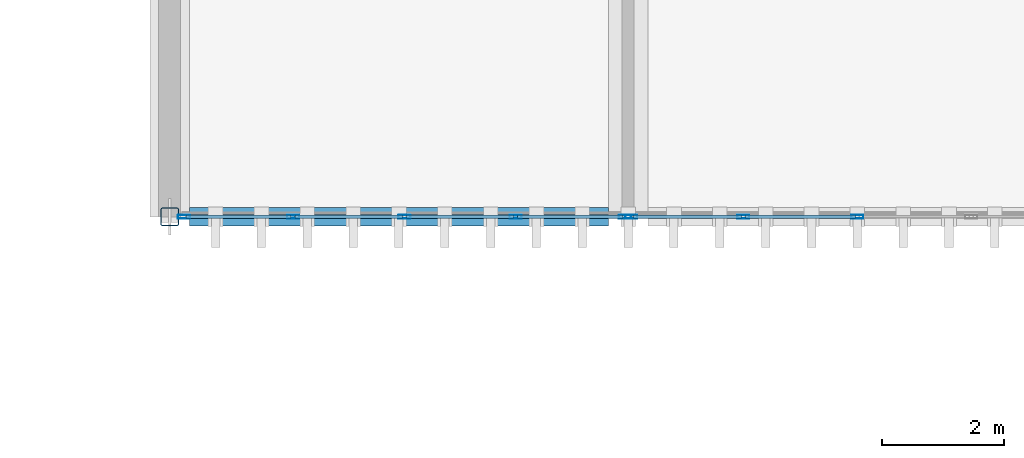
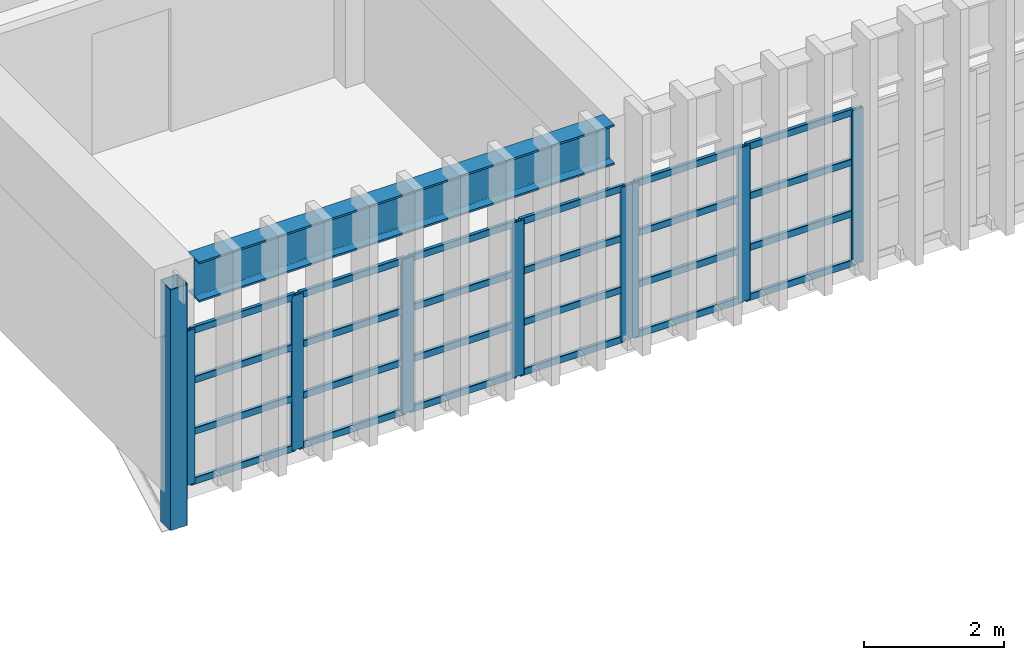
# One storey, part 9 of 124: 33 members, 1 beam, 2 elements without a shape of their own.
"""IFC4 building model written with IfcOpenShell, lengths in metres."""

import ifcopenshell
import ifcopenshell.guid

model = None  # the IFC model being written
_history = None  # IfcOwnerHistory: only IFC2X3 demands one
_inside = {}  # id of a spatial element -> (the spatial element, [elements in it])
_under = {}  # id of a project, library or spatial element -> (it, [spatial elements below it])
_declared = {}  # id of a project -> (the project, [libraries it declares])
_typed = {}  # id of a type object -> (the type object, [elements of that type])
_made_of = {}  # id of a material, layer set ... -> (it, [elements and type objects made of it])


def new_model(schema):
    """Start an empty IFC model of exactly this schema.

    Asked for "IFC4X3", IfcOpenShell would pick the latest addendum, in which some entities
    have other attributes; the version numbers below select the first issue.
    IFC2X3 requires an IfcOwnerHistory on every rooted entity: one is made here for all.
    """
    global model, _history
    if schema == "IFC4X3":
        model = ifcopenshell.file(schema_version=(4, 3, 0, 0))
    else:
        model = ifcopenshell.file(schema=schema)
    _inside.clear()
    _under.clear()
    _declared.clear()
    _typed.clear()
    _made_of.clear()
    _history = None
    if model.schema == "IFC2X3":
        org = make("IfcOrganization", Name="unknown")
        user = make(
            "IfcPersonAndOrganization",
            ThePerson=make("IfcPerson", FamilyName="unknown"),
            TheOrganization=org,
        )
        app = make(
            "IfcApplication",
            ApplicationDeveloper=org,
            Version="unknown",
            ApplicationFullName="unknown",
            ApplicationIdentifier="unknown",
        )
        _history = make(
            "IfcOwnerHistory",
            OwningUser=user,
            OwningApplication=app,
            ChangeAction="ADDED",
            CreationDate=0,
        )
    return model


def make(cls, **values):
    """One entity of the class cls with the attributes given. An attribute that is None is left unset."""
    return model.create_entity(
        cls, **{name: value for name, value in values.items() if value is not None}
    )


def rooted(cls, **values):
    """An entity with a GlobalId (a new one), such as an element, a storey or a relation."""
    return make(cls, GlobalId=ifcopenshell.guid.new(), OwnerHistory=_history, **values)


def si_unit(unit_type, name, prefix=None):
    """IfcSIUnit, for example si_unit("LENGTHUNIT", "METRE", prefix="MILLI")."""
    return make("IfcSIUnit", UnitType=unit_type, Prefix=prefix, Name=name)


def assignment(units):
    """IfcUnitAssignment: the units of a project."""
    return None if units is None else make("IfcUnitAssignment", Units=units)


def point(xyz):
    """IfcCartesianPoint."""
    return None if xyz is None else make("IfcCartesianPoint", Coordinates=xyz)


def direction(xyz):
    """IfcDirection."""
    return None if xyz is None else make("IfcDirection", DirectionRatios=xyz)


def frame(location, z_axis=None, x_axis=None):
    """IfcAxis2Placement3D, a coordinate frame: its origin and axes. An axis left out is left unset."""
    return make(
        "IfcAxis2Placement3D",
        Location=point(location),
        Axis=direction(z_axis),
        RefDirection=direction(x_axis),
    )


def frame_2d(location, x_axis=None):
    """IfcAxis2Placement2D, a coordinate frame in the plane: its origin and x axis."""
    return make(
        "IfcAxis2Placement2D", Location=point(location), RefDirection=direction(x_axis)
    )


def origin():
    """The frame at (0, 0, 0) with its axes left unset."""
    return frame((0.0, 0.0, 0.0))


def origin_2d():
    """The frame at (0, 0) in the plane with its x axis left unset."""
    return frame_2d((0.0, 0.0))


def place(relative_to, where):
    """IfcLocalPlacement: puts the frame where relative to a parent placement (None: the world)."""
    return make(
        "IfcLocalPlacement", PlacementRelTo=relative_to, RelativePlacement=where
    )


def context(
    kind, dimensions, precision=None, world=None, true_north=None, identifier=None
):
    """IfcGeometricRepresentationContext, for example the 3D "Model" context."""
    return make(
        "IfcGeometricRepresentationContext",
        ContextIdentifier=identifier,
        ContextType=kind,
        CoordinateSpaceDimension=dimensions,
        Precision=precision,
        WorldCoordinateSystem=world,
        TrueNorth=true_north,
    )


def subcontext(parent, identifier, kind, view, scale=None):
    """IfcGeometricRepresentationSubContext, for example "Body" below "Model"."""
    return make(
        "IfcGeometricRepresentationSubContext",
        ContextIdentifier=identifier,
        ContextType=kind,
        ParentContext=parent,
        TargetScale=scale,
        TargetView=view,
    )


def project(units=None, contexts=None):
    """IfcProject with its units and contexts."""
    return rooted(
        "IfcProject",
        Name="project",
        RepresentationContexts=contexts,
        UnitsInContext=assignment(units),
    )


def spatial(cls, under=None, at=None, **own):
    """A site, building, storey or space (cls), placed at a placement, below another one or the project."""
    s = rooted(cls, ObjectPlacement=at, **own)
    if under is not None:
        _under.setdefault(under.id(), (under, []))[1].append(s)
    return s


def profile(cls, at=None, kind="AREA", **sizes):
    """A parametric profile (cls). Its sizes go by their IFC names, for example OverallWidth=200.0."""
    return make(cls, ProfileType=kind, Position=at, **sizes)


def hollow_rectangle(**sizes):
    """IfcRectangleHollowProfileDef."""
    return profile("IfcRectangleHollowProfileDef", **sizes)


def i_section(**sizes):
    """IfcIShapeProfileDef."""
    return profile("IfcIShapeProfileDef", **sizes)


def extrude(swept, where, along, depth):
    """IfcExtrudedAreaSolid: the profile swept, set in the frame where, extruded along a direction by depth."""
    return make(
        "IfcExtrudedAreaSolid",
        SweptArea=swept,
        Position=where,
        ExtrudedDirection=direction(along),
        Depth=depth,
    )


def shape(context_of_items, identifier, shape_type, items):
    """IfcShapeRepresentation: the items that make up one representation, for example the "Body"."""
    return make(
        "IfcShapeRepresentation",
        ContextOfItems=context_of_items,
        RepresentationIdentifier=identifier,
        RepresentationType=shape_type,
        Items=items,
    )


def material(Name=None, Category=None):
    """IfcMaterial."""
    return make("IfcMaterial", Name=Name, Category=Category)


def material_profile(
    of_material, cross_section, Name=None, Category=None, Priority=None
):
    """IfcMaterialProfile: a cross section and its material."""
    return make(
        "IfcMaterialProfile",
        Name=Name,
        Material=of_material,
        Profile=cross_section,
        Priority=Priority,
        Category=Category,
    )


def profile_set(profiles, Name=None, composite=None):
    """IfcMaterialProfileSet."""
    return make(
        "IfcMaterialProfileSet",
        Name=Name,
        MaterialProfiles=profiles,
        CompositeProfile=composite,
    )


def made_of(thing, what):
    """Note that an element or type object is made of a material, layer set ...; save() writes the relation."""
    if what is not None:
        _made_of.setdefault(what.id(), (what, []))[1].append(thing)
    return thing


def type_object(cls, material=None, **own):
    """A type object (cls), such as IfcWallType, which elements share."""
    return made_of(rooted(cls, **own), material)


def element(
    cls,
    number,
    at=None,
    inside=None,
    cuts=None,
    type_object=None,
    material=None,
    context=None,
    identifier="Body",
    shape_type=None,
    held_by="IfcProductDefinitionShape",
    body=None,
    shapes=None,
    **own,
):
    """One element of the class cls, such as IfcWall. Its Tag is "e" and its number.

    at: its placement. inside: the storey or other place that contains it. cuts: it is an
    opening in that element (IfcRelVoidsElement). A single representation is given by context,
    identifier, shape_type and body (its items); several are given by shapes. held_by: the class
    of the entity that holds the representations. save() writes the other relations.
    """
    e = rooted(cls, Tag="e%d" % number, ObjectPlacement=at, **own)
    if body is not None:
        shapes = [shape(context, identifier, shape_type, body)]
    if shapes is not None:
        e.Representation = make(held_by, Representations=shapes)
    if inside is not None:
        _inside.setdefault(inside.id(), (inside, []))[1].append(e)
    if cuts is not None:
        rooted(
            "IfcRelVoidsElement", RelatingBuildingElement=cuts, RelatedOpeningElement=e
        )
    if type_object is not None:
        _typed.setdefault(type_object.id(), (type_object, []))[1].append(e)
    return made_of(e, material)


def aggregate(whole, parts):
    """IfcRelAggregates: a whole, such as a stair, and the parts it consists of."""
    return rooted("IfcRelAggregates", RelatingObject=whole, RelatedObjects=parts)


def save(model, path):
    """Write the relations noted so far, then the file.

    IfcRelAggregates (storeys below a building ...), IfcRelContainedInSpatialStructure (elements
    in a storey), IfcRelDefinesByType, IfcRelAssociatesMaterial and IfcRelDeclares: one each for
    every whole, place, type object, material and project.
    """
    for whole, parts in _under.values():
        aggregate(whole, parts)
    for where, things in _inside.values():
        rooted(
            "IfcRelContainedInSpatialStructure",
            RelatedElements=things,
            RelatingStructure=where,
        )
    for kind, things in _typed.values():
        rooted("IfcRelDefinesByType", RelatedObjects=things, RelatingType=kind)
    for what, things in _made_of.values():
        rooted("IfcRelAssociatesMaterial", RelatedObjects=things, RelatingMaterial=what)
    for by, libraries in _declared.values():
        rooted("IfcRelDeclares", RelatingContext=by, RelatedDefinitions=libraries)
    model.write(path)


model = new_model("IFC4")

# Units and contexts
model_context = context("Model", 3, precision=1e-05, world=origin(), true_north=direction((0.0, 1.0)))
body_context = subcontext(model_context, "Body", "Model", "MODEL_VIEW")
ifc_project = project(units=[si_unit("LENGTHUNIT", "METRE"), si_unit("AREAUNIT", "SQUARE_METRE"), si_unit("VOLUMEUNIT", "CUBIC_METRE"), si_unit("PLANEANGLEUNIT", "RADIAN"), si_unit("MASSUNIT", "GRAM", prefix="KILO")], contexts=[model_context])

# Site, building, storey
site_placement = place(None, origin())
site = spatial("IfcSite", under=ifc_project, at=site_placement, CompositionType="ELEMENT")
building_placement = place(site_placement, origin())
building = spatial("IfcBuilding", under=site, at=building_placement, Name="Qasida Concert Hall", CompositionType="ELEMENT")
storey_placement = place(building_placement, frame((0.0, 0.0, 9.0)))
storey = spatial("IfcBuildingStorey", under=building, at=storey_placement, Name="L02", CompositionType="ELEMENT", Elevation=9.0)

# Beam
ifc_material_1 = material(Name="Steel S355J2", Category="steel")
ifc_material_profile_1 = material_profile(ifc_material_1, i_section(OverallWidth=0.300048828125, OverallDepth=0.699951171875, WebThickness=0.01708984375, FlangeThickness=0.031982421875, FilletRadius=0.027099609375, at=origin_2d()), Name="HEB 700")
ifc_profile_set_1 = profile_set([ifc_material_profile_1], Name="Steel S355J2")
beam_type = type_object("IfcBeamType", Name="BM-B7", PredefinedType="BEAM", material=ifc_profile_set_1)
beam_placement = place(storey_placement, frame((52.824951171875, 14.699951171875, 3.570068359375), z_axis=(1.0, 0.0, 0.0), x_axis=(0.0, 1.0, 0.0)))
element("IfcBeam", 1, at=beam_placement, inside=storey, type_object=beam_type, Name="Front overhang fascia beam 012", PredefinedType="BEAM", context=body_context, shape_type="SweptSolid", body=[
    extrude(i_section(OverallWidth=0.300048828125, OverallDepth=0.699951171875, WebThickness=0.01708984375, FlangeThickness=0.031982421875, FilletRadius=0.027099609375, at=origin_2d()), origin(), (0.0, 0.0, 1.0), 6.85009765625),
])

# Curtain wall, members
ifc_material_2 = material(Name="Architectural bronze-anodized aluminium and low-E glass", Category="aluminium")
curtain_wall_type = type_object("IfcCurtainWallType", Name="CW-03", PredefinedType="NOTDEFINED", material=ifc_material_2)
curtain_wall_1_placement = place(storey_placement, origin())
curtain_wall_1 = element("IfcCurtainWall", 2, at=curtain_wall_1_placement, inside=storey, type_object=curtain_wall_type, Name="L02 curtain wall CW-03 0008", PredefinedType="NOTDEFINED")
ifc_material_3 = material(Name="Architectural bronze-anodized aluminium EN AW-6063", Category="aluminium")
ifc_material_profile_2 = material_profile(ifc_material_3, hollow_rectangle(XDim=0.06494140625, YDim=0.199951171875, WallThickness=0.0048828125, InnerFilletRadius=0.0048828125, OuterFilletRadius=0.010009765625, at=origin_2d()), Name="CWM 200x65x5")
ifc_profile_set_2 = profile_set([ifc_material_profile_2], Name="Architectural bronze-anodized aluminium EN AW-6063")
member_type_1 = type_object("IfcMemberType", Name="MB-CWM-2", PredefinedType="MULLION", material=ifc_profile_set_2)
member_1_placement = place(storey_placement, frame((52.732421875, 14.699951171875, 0.0), z_axis=(0.0, 0.0, 1.0), x_axis=(0.0, 1.0, 0.0)))
member_1 = element("IfcMember", 3, at=member_1_placement, type_object=member_type_1, Name="CW-03 mullion 1", PredefinedType="MULLION", context=body_context, shape_type="SweptSolid", body=[
    extrude(hollow_rectangle(XDim=0.06494140625, YDim=0.199951171875, WallThickness=0.0048828125, InnerFilletRadius=0.0048828125, OuterFilletRadius=0.010009765625, at=origin_2d()), origin(), (0.0, 0.0, 1.0), 2.68994140625),
])
member_2_placement = place(storey_placement, frame((54.52001953125, 14.699951171875, 0.0), z_axis=(0.0, 0.0, 1.0), x_axis=(0.0, 1.0, 0.0)))
member_2 = element("IfcMember", 4, at=member_2_placement, type_object=member_type_1, Name="CW-03 mullion 2", PredefinedType="MULLION", context=body_context, shape_type="SweptSolid", body=[
    extrude(hollow_rectangle(XDim=0.06494140625, YDim=0.199951171875, WallThickness=0.0048828125, InnerFilletRadius=0.0048828125, OuterFilletRadius=0.010009765625, at=origin_2d()), origin(), (0.0, 0.0, 1.0), 2.68994140625),
])
member_3_placement = place(storey_placement, frame((56.340087890625, 14.699951171875, 0.0), z_axis=(0.0, 0.0, 1.0), x_axis=(0.0, 1.0, 0.0)))
member_3 = element("IfcMember", 5, at=member_3_placement, type_object=member_type_1, Name="CW-03 mullion 3", PredefinedType="MULLION", context=body_context, shape_type="SweptSolid", body=[
    extrude(hollow_rectangle(XDim=0.06494140625, YDim=0.199951171875, WallThickness=0.0048828125, InnerFilletRadius=0.0048828125, OuterFilletRadius=0.010009765625, at=origin_2d()), origin(), (0.0, 0.0, 1.0), 2.68994140625),
])
member_4_placement = place(storey_placement, frame((58.159912109375, 14.699951171875, 0.0), z_axis=(0.0, 0.0, 1.0), x_axis=(0.0, 1.0, 0.0)))
member_4 = element("IfcMember", 6, at=member_4_placement, type_object=member_type_1, Name="CW-03 mullion 4", PredefinedType="MULLION", context=body_context, shape_type="SweptSolid", body=[
    extrude(hollow_rectangle(XDim=0.06494140625, YDim=0.199951171875, WallThickness=0.0048828125, InnerFilletRadius=0.0048828125, OuterFilletRadius=0.010009765625, at=origin_2d()), origin(), (0.0, 0.0, 1.0), 2.68994140625),
])
member_5_placement = place(storey_placement, frame((59.947509765625, 14.699951171875, 0.0), z_axis=(0.0, 0.0, 1.0), x_axis=(0.0, 1.0, 0.0)))
member_5 = element("IfcMember", 7, at=member_5_placement, type_object=member_type_1, Name="CW-03 mullion 5", PredefinedType="MULLION", context=body_context, shape_type="SweptSolid", body=[
    extrude(hollow_rectangle(XDim=0.06494140625, YDim=0.199951171875, WallThickness=0.0048828125, InnerFilletRadius=0.0048828125, OuterFilletRadius=0.010009765625, at=origin_2d()), origin(), (0.0, 0.0, 1.0), 2.68994140625),
])

curtain_wall_2_placement = place(storey_placement, origin())
curtain_wall_2 = element("IfcCurtainWall", 8, at=curtain_wall_2_placement, inside=storey, type_object=curtain_wall_type, Name="L02 curtain wall CW-03 0009", PredefinedType="NOTDEFINED")
member_6_placement = place(storey_placement, frame((60.052490234375, 14.699951171875, 0.0), z_axis=(0.0, 0.0, 1.0), x_axis=(0.0, 1.0, 0.0)))
member_6 = element("IfcMember", 9, at=member_6_placement, type_object=member_type_1, Name="CW-03 mullion 1", PredefinedType="MULLION", context=body_context, shape_type="SweptSolid", body=[
    extrude(hollow_rectangle(XDim=0.06494140625, YDim=0.199951171875, WallThickness=0.0048828125, InnerFilletRadius=0.0048828125, OuterFilletRadius=0.010009765625, at=origin_2d()), origin(), (0.0, 0.0, 1.0), 2.68994140625),
])
member_7_placement = place(storey_placement, frame((61.885009765625, 14.699951171875, 0.0), z_axis=(0.0, 0.0, 1.0), x_axis=(0.0, 1.0, 0.0)))
member_7 = element("IfcMember", 10, at=member_7_placement, type_object=member_type_1, Name="CW-03 mullion 2", PredefinedType="MULLION", context=body_context, shape_type="SweptSolid", body=[
    extrude(hollow_rectangle(XDim=0.06494140625, YDim=0.199951171875, WallThickness=0.0048828125, InnerFilletRadius=0.0048828125, OuterFilletRadius=0.010009765625, at=origin_2d()), origin(), (0.0, 0.0, 1.0), 2.68994140625),
])
member_8_placement = place(storey_placement, frame((63.75, 14.699951171875, 0.0), z_axis=(0.0, 0.0, 1.0), x_axis=(0.0, 1.0, 0.0)))
member_8 = element("IfcMember", 11, at=member_8_placement, type_object=member_type_1, Name="CW-03 mullion 3", PredefinedType="MULLION", context=body_context, shape_type="SweptSolid", body=[
    extrude(hollow_rectangle(XDim=0.06494140625, YDim=0.199951171875, WallThickness=0.0048828125, InnerFilletRadius=0.0048828125, OuterFilletRadius=0.010009765625, at=origin_2d()), origin(), (0.0, 0.0, 1.0), 2.68994140625),
])

# Member
ifc_material_profile_3 = material_profile(ifc_material_3, hollow_rectangle(XDim=0.06005859375, YDim=0.1201171875, WallThickness=0.00390625, InnerFilletRadius=0.00390625, OuterFilletRadius=0.008056640625, at=origin_2d()), Name="CWT 120x60x4")
ifc_profile_set_3 = profile_set([ifc_material_profile_3], Name="Architectural bronze-anodized aluminium EN AW-6063")
member_type_2 = type_object("IfcMemberType", Name="MB-CWT-2", PredefinedType="USERDEFINED", material=ifc_profile_set_3)
member_9_placement = place(storey_placement, frame((52.764892578125, 14.699951171875, 0.030029296875), z_axis=(1.0, 0.0, 0.0), x_axis=(0.0, 1.0, 0.0)))
member_9 = element("IfcMember", 12, at=member_9_placement, type_object=member_type_2, Name="CW-03 transom 1.1", ObjectType="TRANSOM", PredefinedType="USERDEFINED", context=body_context, shape_type="SweptSolid", body=[
    extrude(hollow_rectangle(XDim=0.06005859375, YDim=0.1201171875, WallThickness=0.00390625, InnerFilletRadius=0.00390625, OuterFilletRadius=0.008056640625, at=origin_2d()), origin(), (0.0, 0.0, 1.0), 1.72265625),
])

member_10_placement = place(storey_placement, frame((52.764892578125, 14.699951171875, 0.896728515625), z_axis=(1.0, 0.0, 0.0), x_axis=(0.0, 1.0, 0.0)))
member_10 = element("IfcMember", 13, at=member_10_placement, type_object=member_type_2, Name="CW-03 transom 1.2", ObjectType="TRANSOM", PredefinedType="USERDEFINED", context=body_context, shape_type="SweptSolid", body=[
    extrude(hollow_rectangle(XDim=0.06005859375, YDim=0.1201171875, WallThickness=0.00390625, InnerFilletRadius=0.00390625, OuterFilletRadius=0.008056640625, at=origin_2d()), origin(), (0.0, 0.0, 1.0), 1.72265625),
])

member_11_placement = place(storey_placement, frame((52.764892578125, 14.699951171875, 1.793212890625), z_axis=(1.0, 0.0, 0.0), x_axis=(0.0, 1.0, 0.0)))
member_11 = element("IfcMember", 14, at=member_11_placement, type_object=member_type_2, Name="CW-03 transom 1.3", ObjectType="TRANSOM", PredefinedType="USERDEFINED", context=body_context, shape_type="SweptSolid", body=[
    extrude(hollow_rectangle(XDim=0.06005859375, YDim=0.1201171875, WallThickness=0.00390625, InnerFilletRadius=0.00390625, OuterFilletRadius=0.008056640625, at=origin_2d()), origin(), (0.0, 0.0, 1.0), 1.72265625),
])

member_12_placement = place(storey_placement, frame((52.764892578125, 14.699951171875, 2.659912109375), z_axis=(1.0, 0.0, 0.0), x_axis=(0.0, 1.0, 0.0)))
member_12 = element("IfcMember", 15, at=member_12_placement, type_object=member_type_2, Name="CW-03 transom 1.4", ObjectType="TRANSOM", PredefinedType="USERDEFINED", context=body_context, shape_type="SweptSolid", body=[
    extrude(hollow_rectangle(XDim=0.06005859375, YDim=0.1201171875, WallThickness=0.00390625, InnerFilletRadius=0.00390625, OuterFilletRadius=0.008056640625, at=origin_2d()), origin(), (0.0, 0.0, 1.0), 1.72265625),
])

member_13_placement = place(storey_placement, frame((54.552490234375, 14.699951171875, 0.030029296875), z_axis=(1.0, 0.0, 0.0), x_axis=(0.0, 1.0, 0.0)))
member_13 = element("IfcMember", 16, at=member_13_placement, type_object=member_type_2, Name="CW-03 transom 2.1", ObjectType="TRANSOM", PredefinedType="USERDEFINED", context=body_context, shape_type="SweptSolid", body=[
    extrude(hollow_rectangle(XDim=0.06005859375, YDim=0.1201171875, WallThickness=0.00390625, InnerFilletRadius=0.00390625, OuterFilletRadius=0.008056640625, at=origin_2d()), origin(), (0.0, 0.0, 1.0), 1.755126953125),
])

member_14_placement = place(storey_placement, frame((54.552490234375, 14.699951171875, 0.896728515625), z_axis=(1.0, 0.0, 0.0), x_axis=(0.0, 1.0, 0.0)))
member_14 = element("IfcMember", 17, at=member_14_placement, type_object=member_type_2, Name="CW-03 transom 2.2", ObjectType="TRANSOM", PredefinedType="USERDEFINED", context=body_context, shape_type="SweptSolid", body=[
    extrude(hollow_rectangle(XDim=0.06005859375, YDim=0.1201171875, WallThickness=0.00390625, InnerFilletRadius=0.00390625, OuterFilletRadius=0.008056640625, at=origin_2d()), origin(), (0.0, 0.0, 1.0), 1.755126953125),
])

member_15_placement = place(storey_placement, frame((54.552490234375, 14.699951171875, 1.793212890625), z_axis=(1.0, 0.0, 0.0), x_axis=(0.0, 1.0, 0.0)))
member_15 = element("IfcMember", 18, at=member_15_placement, type_object=member_type_2, Name="CW-03 transom 2.3", ObjectType="TRANSOM", PredefinedType="USERDEFINED", context=body_context, shape_type="SweptSolid", body=[
    extrude(hollow_rectangle(XDim=0.06005859375, YDim=0.1201171875, WallThickness=0.00390625, InnerFilletRadius=0.00390625, OuterFilletRadius=0.008056640625, at=origin_2d()), origin(), (0.0, 0.0, 1.0), 1.755126953125),
])

member_16_placement = place(storey_placement, frame((54.552490234375, 14.699951171875, 2.659912109375), z_axis=(1.0, 0.0, 0.0), x_axis=(0.0, 1.0, 0.0)))
member_16 = element("IfcMember", 19, at=member_16_placement, type_object=member_type_2, Name="CW-03 transom 2.4", ObjectType="TRANSOM", PredefinedType="USERDEFINED", context=body_context, shape_type="SweptSolid", body=[
    extrude(hollow_rectangle(XDim=0.06005859375, YDim=0.1201171875, WallThickness=0.00390625, InnerFilletRadius=0.00390625, OuterFilletRadius=0.008056640625, at=origin_2d()), origin(), (0.0, 0.0, 1.0), 1.755126953125),
])

member_17_placement = place(storey_placement, frame((56.37255859375, 14.699951171875, 0.030029296875), z_axis=(1.0, 0.0, 0.0), x_axis=(0.0, 1.0, 0.0)))
member_17 = element("IfcMember", 20, at=member_17_placement, type_object=member_type_2, Name="CW-03 transom 3.1", ObjectType="TRANSOM", PredefinedType="USERDEFINED", context=body_context, shape_type="SweptSolid", body=[
    extrude(hollow_rectangle(XDim=0.06005859375, YDim=0.1201171875, WallThickness=0.00390625, InnerFilletRadius=0.00390625, OuterFilletRadius=0.008056640625, at=origin_2d()), origin(), (0.0, 0.0, 1.0), 1.7548828125),
])

member_18_placement = place(storey_placement, frame((56.37255859375, 14.699951171875, 0.896728515625), z_axis=(1.0, 0.0, 0.0), x_axis=(0.0, 1.0, 0.0)))
member_18 = element("IfcMember", 21, at=member_18_placement, type_object=member_type_2, Name="CW-03 transom 3.2", ObjectType="TRANSOM", PredefinedType="USERDEFINED", context=body_context, shape_type="SweptSolid", body=[
    extrude(hollow_rectangle(XDim=0.06005859375, YDim=0.1201171875, WallThickness=0.00390625, InnerFilletRadius=0.00390625, OuterFilletRadius=0.008056640625, at=origin_2d()), origin(), (0.0, 0.0, 1.0), 1.7548828125),
])

member_19_placement = place(storey_placement, frame((56.37255859375, 14.699951171875, 1.793212890625), z_axis=(1.0, 0.0, 0.0), x_axis=(0.0, 1.0, 0.0)))
member_19 = element("IfcMember", 22, at=member_19_placement, type_object=member_type_2, Name="CW-03 transom 3.3", ObjectType="TRANSOM", PredefinedType="USERDEFINED", context=body_context, shape_type="SweptSolid", body=[
    extrude(hollow_rectangle(XDim=0.06005859375, YDim=0.1201171875, WallThickness=0.00390625, InnerFilletRadius=0.00390625, OuterFilletRadius=0.008056640625, at=origin_2d()), origin(), (0.0, 0.0, 1.0), 1.7548828125),
])

member_20_placement = place(storey_placement, frame((56.37255859375, 14.699951171875, 2.659912109375), z_axis=(1.0, 0.0, 0.0), x_axis=(0.0, 1.0, 0.0)))
member_20 = element("IfcMember", 23, at=member_20_placement, type_object=member_type_2, Name="CW-03 transom 3.4", ObjectType="TRANSOM", PredefinedType="USERDEFINED", context=body_context, shape_type="SweptSolid", body=[
    extrude(hollow_rectangle(XDim=0.06005859375, YDim=0.1201171875, WallThickness=0.00390625, InnerFilletRadius=0.00390625, OuterFilletRadius=0.008056640625, at=origin_2d()), origin(), (0.0, 0.0, 1.0), 1.7548828125),
])

member_21_placement = place(storey_placement, frame((58.1923828125, 14.699951171875, 0.030029296875), z_axis=(1.0, 0.0, 0.0), x_axis=(0.0, 1.0, 0.0)))
member_21 = element("IfcMember", 24, at=member_21_placement, type_object=member_type_2, Name="CW-03 transom 4.1", ObjectType="TRANSOM", PredefinedType="USERDEFINED", context=body_context, shape_type="SweptSolid", body=[
    extrude(hollow_rectangle(XDim=0.06005859375, YDim=0.1201171875, WallThickness=0.00390625, InnerFilletRadius=0.00390625, OuterFilletRadius=0.008056640625, at=origin_2d()), origin(), (0.0, 0.0, 1.0), 1.72265625),
])

member_22_placement = place(storey_placement, frame((58.1923828125, 14.699951171875, 0.896728515625), z_axis=(1.0, 0.0, 0.0), x_axis=(0.0, 1.0, 0.0)))
member_22 = element("IfcMember", 25, at=member_22_placement, type_object=member_type_2, Name="CW-03 transom 4.2", ObjectType="TRANSOM", PredefinedType="USERDEFINED", context=body_context, shape_type="SweptSolid", body=[
    extrude(hollow_rectangle(XDim=0.06005859375, YDim=0.1201171875, WallThickness=0.00390625, InnerFilletRadius=0.00390625, OuterFilletRadius=0.008056640625, at=origin_2d()), origin(), (0.0, 0.0, 1.0), 1.72265625),
])

member_23_placement = place(storey_placement, frame((58.1923828125, 14.699951171875, 1.793212890625), z_axis=(1.0, 0.0, 0.0), x_axis=(0.0, 1.0, 0.0)))
member_23 = element("IfcMember", 26, at=member_23_placement, type_object=member_type_2, Name="CW-03 transom 4.3", ObjectType="TRANSOM", PredefinedType="USERDEFINED", context=body_context, shape_type="SweptSolid", body=[
    extrude(hollow_rectangle(XDim=0.06005859375, YDim=0.1201171875, WallThickness=0.00390625, InnerFilletRadius=0.00390625, OuterFilletRadius=0.008056640625, at=origin_2d()), origin(), (0.0, 0.0, 1.0), 1.72265625),
])

member_24_placement = place(storey_placement, frame((58.1923828125, 14.699951171875, 2.659912109375), z_axis=(1.0, 0.0, 0.0), x_axis=(0.0, 1.0, 0.0)))
member_24 = element("IfcMember", 27, at=member_24_placement, type_object=member_type_2, Name="CW-03 transom 4.4", ObjectType="TRANSOM", PredefinedType="USERDEFINED", context=body_context, shape_type="SweptSolid", body=[
    extrude(hollow_rectangle(XDim=0.06005859375, YDim=0.1201171875, WallThickness=0.00390625, InnerFilletRadius=0.00390625, OuterFilletRadius=0.008056640625, at=origin_2d()), origin(), (0.0, 0.0, 1.0), 1.72265625),
])

aggregate(curtain_wall_1, [member_1, member_2, member_3, member_4, member_5, member_9, member_10, member_11, member_12, member_13, member_14, member_15, member_16, member_17, member_18, member_19, member_20, member_21, member_22, member_23, member_24])

member_25_placement = place(storey_placement, frame((60.0849609375, 14.699951171875, 0.030029296875), z_axis=(1.0, 0.0, 0.0), x_axis=(0.0, 1.0, 0.0)))
member_25 = element("IfcMember", 28, at=member_25_placement, type_object=member_type_2, Name="CW-03 transom 1.1", ObjectType="TRANSOM", PredefinedType="USERDEFINED", context=body_context, shape_type="SweptSolid", body=[
    extrude(hollow_rectangle(XDim=0.06005859375, YDim=0.1201171875, WallThickness=0.00390625, InnerFilletRadius=0.00390625, OuterFilletRadius=0.008056640625, at=origin_2d()), origin(), (0.0, 0.0, 1.0), 1.767578125),
])

member_26_placement = place(storey_placement, frame((60.0849609375, 14.699951171875, 0.896728515625), z_axis=(1.0, 0.0, 0.0), x_axis=(0.0, 1.0, 0.0)))
member_26 = element("IfcMember", 29, at=member_26_placement, type_object=member_type_2, Name="CW-03 transom 1.2", ObjectType="TRANSOM", PredefinedType="USERDEFINED", context=body_context, shape_type="SweptSolid", body=[
    extrude(hollow_rectangle(XDim=0.06005859375, YDim=0.1201171875, WallThickness=0.00390625, InnerFilletRadius=0.00390625, OuterFilletRadius=0.008056640625, at=origin_2d()), origin(), (0.0, 0.0, 1.0), 1.767578125),
])

member_27_placement = place(storey_placement, frame((60.0849609375, 14.699951171875, 1.793212890625), z_axis=(1.0, 0.0, 0.0), x_axis=(0.0, 1.0, 0.0)))
member_27 = element("IfcMember", 30, at=member_27_placement, type_object=member_type_2, Name="CW-03 transom 1.3", ObjectType="TRANSOM", PredefinedType="USERDEFINED", context=body_context, shape_type="SweptSolid", body=[
    extrude(hollow_rectangle(XDim=0.06005859375, YDim=0.1201171875, WallThickness=0.00390625, InnerFilletRadius=0.00390625, OuterFilletRadius=0.008056640625, at=origin_2d()), origin(), (0.0, 0.0, 1.0), 1.767578125),
])

member_28_placement = place(storey_placement, frame((60.0849609375, 14.699951171875, 2.659912109375), z_axis=(1.0, 0.0, 0.0), x_axis=(0.0, 1.0, 0.0)))
member_28 = element("IfcMember", 31, at=member_28_placement, type_object=member_type_2, Name="CW-03 transom 1.4", ObjectType="TRANSOM", PredefinedType="USERDEFINED", context=body_context, shape_type="SweptSolid", body=[
    extrude(hollow_rectangle(XDim=0.06005859375, YDim=0.1201171875, WallThickness=0.00390625, InnerFilletRadius=0.00390625, OuterFilletRadius=0.008056640625, at=origin_2d()), origin(), (0.0, 0.0, 1.0), 1.767578125),
])

member_29_placement = place(storey_placement, frame((61.91748046875, 14.699951171875, 0.030029296875), z_axis=(1.0, 0.0, 0.0), x_axis=(0.0, 1.0, 0.0)))
member_29 = element("IfcMember", 32, at=member_29_placement, type_object=member_type_2, Name="CW-03 transom 2.1", ObjectType="TRANSOM", PredefinedType="USERDEFINED", context=body_context, shape_type="SweptSolid", body=[
    extrude(hollow_rectangle(XDim=0.06005859375, YDim=0.1201171875, WallThickness=0.00390625, InnerFilletRadius=0.00390625, OuterFilletRadius=0.008056640625, at=origin_2d()), origin(), (0.0, 0.0, 1.0), 1.800048828125),
])

member_30_placement = place(storey_placement, frame((61.91748046875, 14.699951171875, 0.896728515625), z_axis=(1.0, 0.0, 0.0), x_axis=(0.0, 1.0, 0.0)))
member_30 = element("IfcMember", 33, at=member_30_placement, type_object=member_type_2, Name="CW-03 transom 2.2", ObjectType="TRANSOM", PredefinedType="USERDEFINED", context=body_context, shape_type="SweptSolid", body=[
    extrude(hollow_rectangle(XDim=0.06005859375, YDim=0.1201171875, WallThickness=0.00390625, InnerFilletRadius=0.00390625, OuterFilletRadius=0.008056640625, at=origin_2d()), origin(), (0.0, 0.0, 1.0), 1.800048828125),
])

member_31_placement = place(storey_placement, frame((61.91748046875, 14.699951171875, 1.793212890625), z_axis=(1.0, 0.0, 0.0), x_axis=(0.0, 1.0, 0.0)))
member_31 = element("IfcMember", 34, at=member_31_placement, type_object=member_type_2, Name="CW-03 transom 2.3", ObjectType="TRANSOM", PredefinedType="USERDEFINED", context=body_context, shape_type="SweptSolid", body=[
    extrude(hollow_rectangle(XDim=0.06005859375, YDim=0.1201171875, WallThickness=0.00390625, InnerFilletRadius=0.00390625, OuterFilletRadius=0.008056640625, at=origin_2d()), origin(), (0.0, 0.0, 1.0), 1.800048828125),
])

member_32_placement = place(storey_placement, frame((61.91748046875, 14.699951171875, 2.659912109375), z_axis=(1.0, 0.0, 0.0), x_axis=(0.0, 1.0, 0.0)))
member_32 = element("IfcMember", 35, at=member_32_placement, type_object=member_type_2, Name="CW-03 transom 2.4", ObjectType="TRANSOM", PredefinedType="USERDEFINED", context=body_context, shape_type="SweptSolid", body=[
    extrude(hollow_rectangle(XDim=0.06005859375, YDim=0.1201171875, WallThickness=0.00390625, InnerFilletRadius=0.00390625, OuterFilletRadius=0.008056640625, at=origin_2d()), origin(), (0.0, 0.0, 1.0), 1.800048828125),
])

aggregate(curtain_wall_2, [member_6, member_7, member_8, member_25, member_26, member_27, member_28, member_29, member_30, member_31, member_32])

ifc_material_profile_4 = material_profile(ifc_material_1, hollow_rectangle(XDim=0.300048828125, YDim=0.300048828125, WallThickness=0.01611328125, InnerFilletRadius=0.01611328125, OuterFilletRadius=0.031982421875, at=origin_2d()), Name="SHS 300x300x16")
ifc_profile_set_4 = profile_set([ifc_material_profile_4], Name="Steel S355J2")
member_type_3 = type_object("IfcMemberType", Name="MB-ST4", PredefinedType="STRUT", material=ifc_profile_set_4)
member_33_placement = place(storey_placement, frame((52.5, 14.699951171875, -0.60009765625), z_axis=(0.0, 0.0, 1.0), x_axis=(1.0, 0.0, 0.0)))
element("IfcMember", 36, at=member_33_placement, inside=storey, type_object=member_type_3, Name="Wall truss post WT-W-004", PredefinedType="STRUT", context=body_context, shape_type="SweptSolid", body=[
    extrude(hollow_rectangle(XDim=0.300048828125, YDim=0.300048828125, WallThickness=0.01611328125, InnerFilletRadius=0.01611328125, OuterFilletRadius=0.031982421875, at=origin_2d()), origin(), (0.0, 0.0, 1.0), 4.2001953125),
])

save(model, "model.ifc")
